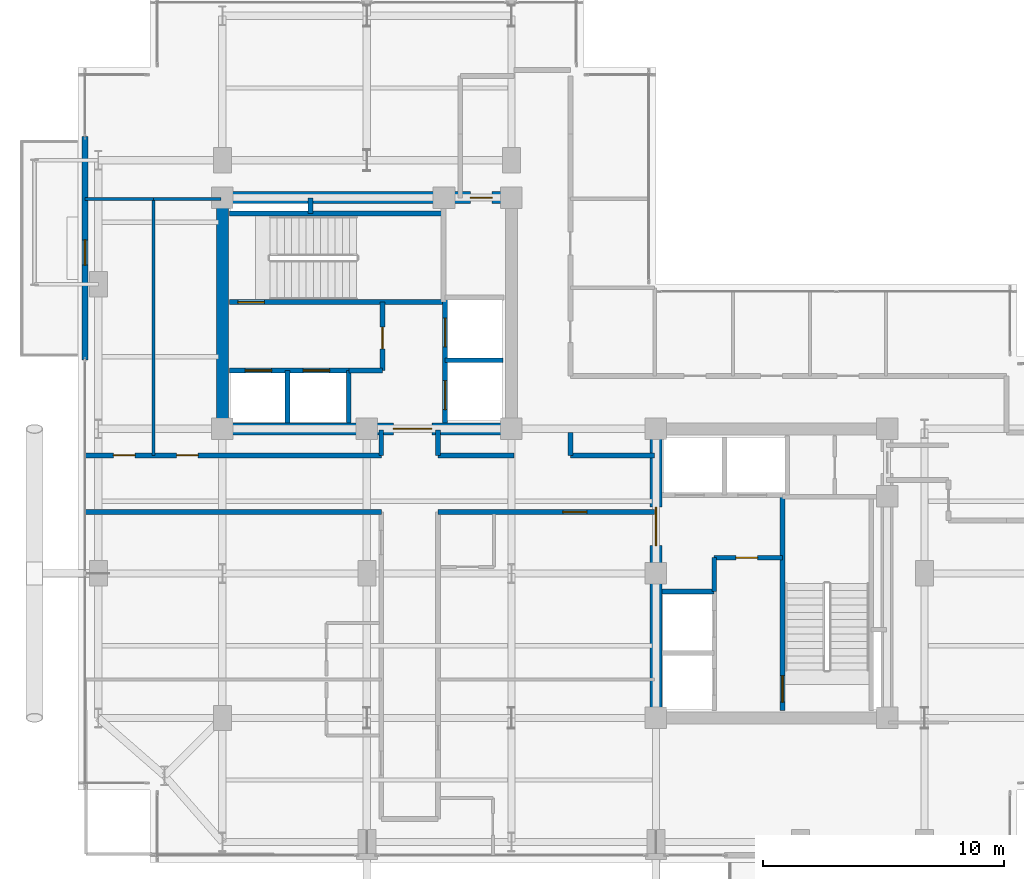
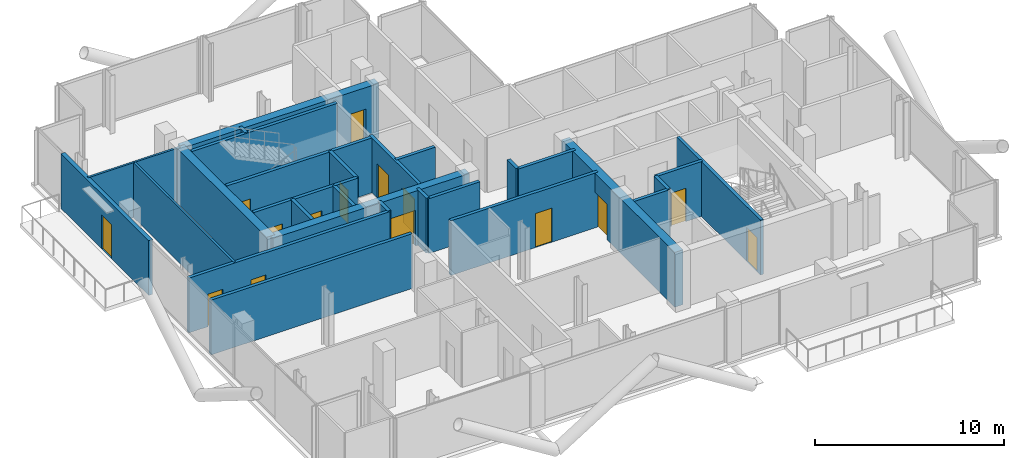
# One storey, part 20 of 25: 30 walls, 15 doors, 15 openings.
"""IFC4 building model written with IfcOpenShell, lengths in metres."""

from ifc_helpers import new_model, si_unit, direction, frame, frame_2d, origin, place, context, subcontext, project, spatial, rectangle, extrude, material, layer, layer_set, type_object, element, fill, save


model = new_model("IFC4")

# Units and contexts
model_context = context("Model", 3, precision=1e-05, world=origin(), true_north=direction((0.0, 1.0)))
body_context = subcontext(model_context, "Body", "Model", "MODEL_VIEW")
ifc_project = project(units=[si_unit("LENGTHUNIT", "METRE"), si_unit("AREAUNIT", "SQUARE_METRE"), si_unit("VOLUMEUNIT", "CUBIC_METRE"), si_unit("PLANEANGLEUNIT", "RADIAN"), si_unit("MASSUNIT", "GRAM", prefix="KILO"), si_unit("THERMODYNAMICTEMPERATUREUNIT", "KELVIN"), si_unit("POWERUNIT", "WATT")], contexts=[model_context])

# Site, building, storey
site_placement = place(None, origin())
site = spatial("IfcSite", under=ifc_project, at=site_placement, CompositionType="ELEMENT")
building_placement = place(site_placement, origin())
building = spatial("IfcBuilding", under=site, at=building_placement, Name="Svarakhadi Broadcast Tower", CompositionType="ELEMENT")
storey_placement = place(building_placement, frame((0.0, 0.0, 216.14990234375)))
storey = spatial("IfcBuildingStorey", under=building, at=storey_placement, Name="L53", CompositionType="ELEMENT", Elevation=216.14990234375)

# Wall
ifc_material_1 = material(Name="Double-Stud Acoustic Studio Partition STC-62", Category="gypsum")
ifc_layer_1 = layer(ifc_material_1, 0.199951171875)
ifc_layer_set_1 = layer_set([ifc_layer_1], Name="Double-Stud Acoustic Studio Partition STC-62")
wall_type_1 = type_object("IfcWallType", Name="Wall_Acoust_200", PredefinedType="PARTITIONING", material=ifc_layer_set_1)
wall_1_placement = place(storey_placement, frame((12.60009765625, 14.550048828125, 0.0), z_axis=(0.0, 0.0, 1.0), x_axis=(-1.0, 0.0, 0.0)))
element("IfcWall", 1, at=wall_1_placement, inside=storey, type_object=wall_type_1, Name="L53 Upper Tower Concourse Wall", PredefinedType="PARTITIONING", context=body_context, shape_type="SweptSolid", body=[
    extrude(rectangle(XDim=12.300048828125, YDim=0.199951171875, at=frame_2d((6.14990234375, 0.0))), origin(), (0.0, 0.0, 1.0), 3.5400390625),
])

# Wall, openings, doors
wall_2_placement = place(storey_placement, frame((0.300048828125, 16.89990234375, 0.0), z_axis=(0.0, 0.0, 1.0), x_axis=(1.0, 0.0, 0.0)))
wall_2 = element("IfcWall", 2, at=wall_2_placement, inside=storey, type_object=wall_type_1, Name="L53 Upper Tower Concourse Wall", PredefinedType="PARTITIONING", context=body_context, shape_type="SweptSolid", body=[
    extrude(rectangle(XDim=12.300048828125, YDim=0.199951171875, at=frame_2d((6.14990234375, 0.0))), origin(), (0.0, 0.0, 1.0), 3.5400390625),
])
opening_1_placement = place(wall_2_placement, frame((1.179931640625, 0.0, 0.0)))
opening_1 = element("IfcOpeningElement", 3, at=opening_1_placement, cuts=wall_2, Name="Opening D-15", PredefinedType="OPENING", context=body_context, shape_type="SweptSolid", body=[
    extrude(rectangle(XDim=0.89990234375, YDim=2.10009765625, at=frame_2d((0.449951171875, 1.050048828125))), frame((0.0, 0.10986328125, 0.0), z_axis=(0.0, -1.0, 0.0), x_axis=(1.0, 0.0, 0.0)), (0.0, 0.0, 1.0), 0.219970703125),
])
opening_2_placement = place(wall_2_placement, frame((3.800048828125, 0.0, 0.0)))
opening_2 = element("IfcOpeningElement", 4, at=opening_2_placement, cuts=wall_2, Name="Opening D-14", PredefinedType="OPENING", context=body_context, shape_type="SweptSolid", body=[
    extrude(rectangle(XDim=0.89990234375, YDim=2.10009765625, at=frame_2d((0.449951171875, 1.050048828125))), frame((0.0, 0.10986328125, 0.0), z_axis=(0.0, -1.0, 0.0), x_axis=(1.0, 0.0, 0.0)), (0.0, 0.0, 1.0), 0.219970703125),
])
ifc_material_2 = material(Name="Solid-Core Teak Veneer Acoustic Timber Leaf", Category="wood")
door_type_1 = type_object("IfcDoorType", Name="Door_Int_D14", OperationType="SINGLE_SWING_LEFT", PredefinedType="DOOR", material=ifc_material_2)
door_1_placement = place(opening_2_placement, origin())
door_1 = element("IfcDoor", 5, at=door_1_placement, inside=storey, type_object=door_type_1, Name="L53 Private Study and Library Office Door", OperationType="SINGLE_SWING_LEFT", OverallHeight=2.10009765625, OverallWidth=0.89990234375, PredefinedType="DOOR", context=body_context, shape_type="SweptSolid", body=[
    extrude(rectangle(XDim=0.89990234375, YDim=2.10009765625, at=frame_2d((0.449951171875, 1.050048828125))), frame((0.0, 0.02490234375, 0.0), z_axis=(0.0, -1.0, 0.0), x_axis=(1.0, 0.0, 0.0)), (0.0, 0.0, 1.0), 0.050048828125),
])
fill(opening_2, door_1)
door_type_2 = type_object("IfcDoorType", Name="Door_Int_D15", OperationType="SINGLE_SWING_RIGHT", PredefinedType="DOOR", material=ifc_material_2)
door_2_placement = place(opening_1_placement, origin())
door_2 = element("IfcDoor", 6, at=door_2_placement, inside=storey, type_object=door_type_2, Name="L53 Arabian Sea Panorama Salon Door", OperationType="SINGLE_SWING_RIGHT", OverallHeight=2.10009765625, OverallWidth=0.89990234375, PredefinedType="DOOR", context=body_context, shape_type="SweptSolid", body=[
    extrude(rectangle(XDim=0.89990234375, YDim=2.10009765625, at=frame_2d((0.449951171875, 1.050048828125))), frame((0.0, 0.02490234375, 0.0), z_axis=(0.0, -1.0, 0.0), x_axis=(1.0, 0.0, 0.0)), (0.0, 0.0, 1.0), 0.050048828125),
])
fill(opening_1, door_2)

# Walls
for number, where, z_axis, x_axis, name in (
    (7, (12.60009765625, 16.89990234375, 0.0), (0.0, 0.0, 1.0), (0.0, 1.0, 0.0), "L53 Upper Tower Concourse Wall"),
    (8, (14.949951171875, 17.949951171875, 0.0), (0.0, 0.0, 1.0), (0.0, -1.0, 0.0), "L53 Upper Tower Concourse Wall"),
):
    element("IfcWall", number, at=place(storey_placement, frame(where, z_axis=z_axis, x_axis=x_axis)), inside=storey, type_object=wall_type_1, Name=name, PredefinedType="PARTITIONING", context=body_context, shape_type="SweptSolid", body=[
        extrude(rectangle(XDim=1.050048828125, YDim=0.199951171875, at=frame_2d((0.52490234375, 0.0))), origin(), (0.0, 0.0, 1.0), 3.5400390625),
    ])
wall_3_placement = place(storey_placement, frame((14.949951171875, 16.89990234375, 0.0), z_axis=(0.0, 0.0, 1.0), x_axis=(1.0, 0.0, 0.0)))
element("IfcWall", 9, at=wall_3_placement, inside=storey, type_object=wall_type_1, Name="L53 Upper Tower Concourse Wall", PredefinedType="PARTITIONING", context=body_context, shape_type="SweptSolid", body=[
    extrude(rectangle(XDim=3.150146484375, YDim=0.199951171875, at=frame_2d((1.5751953125, 0.0))), origin(), (0.0, 0.0, 1.0), 3.5400390625),
])
wall_4_placement = place(storey_placement, frame((20.449951171875, 17.85009765625, 0.0), z_axis=(0.0, 0.0, 1.0), x_axis=(0.0, -1.0, 0.0)))
element("IfcWall", 10, at=wall_4_placement, inside=storey, type_object=wall_type_1, Name="L53 Upper Tower Concourse Wall", PredefinedType="PARTITIONING", context=body_context, shape_type="SweptSolid", body=[
    extrude(rectangle(XDim=0.9501953125, YDim=0.199951171875, at=frame_2d((0.47509765625, 0.0))), origin(), (0.0, 0.0, 1.0), 3.5400390625),
])
wall_5_placement = place(storey_placement, frame((20.449951171875, 16.89990234375, 0.0), z_axis=(0.0, 0.0, 1.0), x_axis=(1.0, 0.0, 0.0)))
element("IfcWall", 11, at=wall_5_placement, inside=storey, type_object=wall_type_1, Name="L53 Upper Tower Concourse Wall", PredefinedType="PARTITIONING", context=body_context, shape_type="SweptSolid", body=[
    extrude(rectangle(XDim=3.5, YDim=0.199951171875, at=frame_2d((1.75, 0.0))), origin(), (0.0, 0.0, 1.0), 3.5400390625),
])

# Wall, opening, door
wall_6_placement = place(storey_placement, frame((23.949951171875, 14.550048828125, 0.0), z_axis=(0.0, 0.0, 1.0), x_axis=(-1.0, 0.0, 0.0)))
wall_6 = element("IfcWall", 12, at=wall_6_placement, inside=storey, type_object=wall_type_1, Name="L53 Upper Tower Concourse Wall", PredefinedType="PARTITIONING", context=body_context, shape_type="SweptSolid", body=[
    extrude(rectangle(XDim=9.0, YDim=0.199951171875, at=frame_2d((4.5, 0.0))), origin(), (0.0, 0.0, 1.0), 3.5400390625),
])
opening_3_placement = place(wall_6_placement, frame((2.81494140625, 0.0, 0.0)))
opening_3 = element("IfcOpeningElement", 13, at=opening_3_placement, cuts=wall_6, Name="Opening D-09", PredefinedType="OPENING", context=body_context, shape_type="SweptSolid", body=[
    extrude(rectangle(XDim=1.0, YDim=2.199951171875, at=frame_2d((0.5, 1.10009765625))), frame((0.0, 0.10986328125, 0.0), z_axis=(0.0, -1.0, 0.0), x_axis=(1.0, 0.0, 0.0)), (0.0, 0.0, 1.0), 0.219970703125),
])
door_type_3 = type_object("IfcDoorType", Name="Door_Suite_D09", OperationType="SINGLE_SWING_RIGHT", PredefinedType="DOOR", material=ifc_material_2)
door_3_placement = place(opening_3_placement, origin())
door_3 = element("IfcDoor", 14, at=door_3_placement, inside=storey, type_object=door_type_3, Name="L53 Deluxe Harbour Guest Room Entrance Door", OperationType="SINGLE_SWING_RIGHT", OverallHeight=2.199951171875, OverallWidth=1.0, PredefinedType="DOOR", context=body_context, shape_type="SweptSolid", body=[
    extrude(rectangle(XDim=1.0, YDim=2.199951171875, at=frame_2d((0.5, 1.10009765625))), frame((0.0, 0.02490234375, 0.0), z_axis=(0.0, -1.0, 0.0), x_axis=(1.0, 0.0, 0.0)), (0.0, 0.0, 1.0), 0.050048828125),
])
fill(opening_3, door_3)

ifc_material_3 = material(Name="Concrete C40/50 (IS 456 M50)", Category="concrete")
ifc_layer_2 = layer(ifc_material_3, 0.239990234375)
ifc_layer_set_2 = layer_set([ifc_layer_2], Name="Concrete C40/50 (IS 456 M50)")
wall_type_2 = type_object("IfcWallType", Name="Wall_Ext_240", PredefinedType="SOLIDWALL", material=ifc_layer_set_2)
wall_7_placement = place(storey_placement, frame((0.300048828125, 20.85498046875, 0.0), z_axis=(0.0, 0.0, 1.0), x_axis=(0.0, 1.0, 0.0)))
wall_7 = element("IfcWall", 15, at=wall_7_placement, inside=storey, type_object=wall_type_2, Name="L53 West Tree Balcony Spandrel Wall", PredefinedType="SOLIDWALL", context=body_context, shape_type="SweptSolid", body=[
    extrude(rectangle(XDim=9.2900390625, YDim=0.239990234375, at=frame_2d((4.64501953125, 0.0))), origin(), (0.0, 0.0, 1.0), 3.5400390625),
])
opening_4_placement = place(wall_7_placement, frame((3.945068359375, 0.0, 0.0)))
opening_4 = element("IfcOpeningElement", 16, at=opening_4_placement, cuts=wall_7, Name="Opening ED-06", PredefinedType="OPENING", context=body_context, shape_type="SweptSolid", body=[
    extrude(rectangle(XDim=1.050048828125, YDim=2.199951171875, at=frame_2d((0.52490234375, 1.10009765625))), frame((0.0, 0.1298828125, 0.0), z_axis=(0.0, -1.0, 0.0), x_axis=(1.0, 0.0, 0.0)), (0.0, 0.0, 1.0), 0.260009765625),
])
ifc_material_4 = material(Name="Anodised Bronze Aluminium AA 6063-T6", Category="aluminium")
door_type_4 = type_object("IfcDoorType", Name="Door_Ext_ED06", OperationType="SINGLE_SWING_RIGHT", PredefinedType="DOOR", material=ifc_material_4)
door_4_placement = place(opening_4_placement, origin())
door_4 = element("IfcDoor", 17, at=door_4_placement, inside=storey, type_object=door_type_4, Name="L53 West Tree Balcony Door", OperationType="SINGLE_SWING_RIGHT", OverallHeight=2.199951171875, OverallWidth=1.050048828125, PredefinedType="DOOR", context=body_context, shape_type="SweptSolid", body=[
    extrude(rectangle(XDim=1.050048828125, YDim=2.199951171875, at=frame_2d((0.52490234375, 1.10009765625))), frame((0.0, 0.02490234375, 0.0), z_axis=(0.0, -1.0, 0.0), x_axis=(1.0, 0.0, 0.0)), (0.0, 0.0, 1.0), 0.050048828125),
])
fill(opening_4, door_4)

# Walls
ifc_layer_3 = layer(ifc_material_3, 0.199951171875)
ifc_layer_set_3 = layer_set([ifc_layer_3], Name="Concrete C40/50 (IS 456 M50)")
wall_type_3 = type_object("IfcWallType", Name="Wall_Fire_200", PredefinedType="SOLIDWALL", material=ifc_layer_set_3)
wall_8_placement = place(storey_placement, frame((9.659912109375, 26.93994140625, 0.0), z_axis=(0.0, 0.0, 1.0), x_axis=(0.0, 1.0, 0.0)))
element("IfcWall", 18, at=wall_8_placement, inside=storey, type_object=wall_type_3, Name="L53 Wet Riser Shaft East Wall", PredefinedType="SOLIDWALL", context=body_context, shape_type="SweptSolid", body=[
    extrude(rectangle(XDim=0.64013671875, YDim=0.199951171875, at=frame_2d((0.320068359375, 0.0))), origin(), (0.0, 0.0, 1.0), 3.5400390625),
])
ifc_material_5 = material(Name="Fire-Rated Moisture-Resistant Gypsum Board Partition", Category="gypsum")
ifc_layer_4 = layer(ifc_material_5, 0.125)
ifc_layer_set_4 = layer_set([ifc_layer_4], Name="Fire-Rated Moisture-Resistant Gypsum Board Partition")
wall_type_4 = type_object("IfcWallType", Name="Wall_Part_125", PredefinedType="PARTITIONING", material=ifc_layer_set_4)
wall_9_placement = place(storey_placement, frame((0.300048828125, 27.550048828125, 0.0), z_axis=(0.0, 0.0, 1.0), x_axis=(1.0, 0.0, 0.0)))
element("IfcWall", 19, at=wall_9_placement, inside=storey, type_object=wall_type_4, Name="L53 Arabian Sea Panorama Salon Wall", PredefinedType="PARTITIONING", context=body_context, shape_type="SweptSolid", body=[
    extrude(rectangle(XDim=2.849853515625, YDim=0.125, at=frame_2d((1.4248046875, 0.0))), origin(), (0.0, 0.0, 1.0), 3.5400390625),
])
wall_10_placement = place(storey_placement, frame((3.14990234375, 16.89990234375, 0.0), z_axis=(0.0, 0.0, 1.0), x_axis=(0.0, 1.0, 0.0)))
element("IfcWall", 20, at=wall_10_placement, inside=storey, type_object=wall_type_4, Name="L53 Arabian Sea Panorama Salon Wall", PredefinedType="PARTITIONING", context=body_context, shape_type="SweptSolid", body=[
    extrude(rectangle(XDim=10.650146484375, YDim=0.125, at=frame_2d((5.3251953125, 0.0))), origin(), (0.0, 0.0, 1.0), 3.5400390625),
])
wall_11_placement = place(storey_placement, frame((3.14990234375, 27.550048828125, 0.0), z_axis=(0.0, 0.0, 1.0), x_axis=(1.0, 0.0, 0.0)))
element("IfcWall", 21, at=wall_11_placement, inside=storey, type_object=wall_type_4, Name="L53 Private Study and Library Office Wall", PredefinedType="PARTITIONING", context=body_context, shape_type="SweptSolid", body=[
    extrude(rectangle(XDim=2.800048828125, YDim=0.125, at=frame_2d((1.39990234375, 0.0))), origin(), (0.0, 0.0, 1.0), 3.5400390625),
])

# Wall, opening, door
ifc_material_6 = material(Name="Concrete C50/60 (IS 456 M60)", Category="concrete")
ifc_layer_5 = layer(ifc_material_6, 0.199951171875)
ifc_layer_set_5 = layer_set([ifc_layer_5], Name="Concrete C50/60 (IS 456 M60)")
wall_type_5 = type_object("IfcWallType", Name="Wall_Shear_200", PredefinedType="SHEAR", material=ifc_layer_set_5)
wall_12_placement = place(storey_placement, frame((6.300048828125, 23.260009765625, 0.0), z_axis=(0.0, 0.0, 1.0), x_axis=(1.0, 0.0, 0.0)))
wall_12 = element("IfcWall", 22, at=wall_12_placement, inside=storey, type_object=wall_type_5, Name="L53 Stair ST-01 South RC Shaft Wall", PredefinedType="SHEAR", context=body_context, shape_type="SweptSolid", body=[
    extrude(rectangle(XDim=8.8798828125, YDim=0.199951171875, at=frame_2d((4.43994140625, 0.0))), origin(), (0.0, 0.0, 1.0), 3.5400390625),
])
opening_5_placement = place(wall_12_placement, frame((0.35009765625, 0.0, 0.0)))
opening_5 = element("IfcOpeningElement", 23, at=opening_5_placement, cuts=wall_12, Name="Opening D-01", PredefinedType="OPENING", context=body_context, shape_type="SweptSolid", body=[
    extrude(rectangle(XDim=1.10009765625, YDim=2.199951171875, at=frame_2d((0.550048828125, 1.10009765625))), frame((0.0, 0.10986328125, 0.0), z_axis=(0.0, -1.0, 0.0), x_axis=(1.0, 0.0, 0.0)), (0.0, 0.0, 1.0), 0.219970703125),
])
ifc_material_7 = material(Name="Galvanised Powder-Coated Fire-Rated Steel Leaf", Category="steel")
door_type_5 = type_object("IfcDoorType", Name="Door_Stair_D01", OperationType="SINGLE_SWING_LEFT", PredefinedType="DOOR", material=ifc_material_7)
door_5_placement = place(opening_5_placement, origin())
door_5 = element("IfcDoor", 24, at=door_5_placement, inside=storey, type_object=door_type_5, Name="L53 Protected Exit Stair ST-01 Fire Door", OperationType="SINGLE_SWING_LEFT", OverallHeight=2.199951171875, OverallWidth=1.10009765625, PredefinedType="DOOR", context=body_context, shape_type="SweptSolid", body=[
    extrude(rectangle(XDim=1.10009765625, YDim=2.199951171875, at=frame_2d((0.550048828125, 1.10009765625))), frame((0.0, 0.02490234375, 0.0), z_axis=(0.0, -1.0, 0.0), x_axis=(1.0, 0.0, 0.0)), (0.0, 0.0, 1.0), 0.050048828125),
])
fill(opening_5, door_5)

# Wall
wall_13_placement = place(storey_placement, frame((6.300048828125, 26.93994140625, 0.0), z_axis=(0.0, 0.0, 1.0), x_axis=(1.0, 0.0, 0.0)))
element("IfcWall", 25, at=wall_13_placement, inside=storey, type_object=wall_type_5, Name="L53 Stair ST-01 North RC Shaft Wall", PredefinedType="SHEAR", context=body_context, shape_type="SweptSolid", body=[
    extrude(rectangle(XDim=8.8798828125, YDim=0.199951171875, at=frame_2d((4.43994140625, 0.0))), origin(), (0.0, 0.0, 1.0), 3.5400390625),
])

# Wall, opening, door
wall_14_placement = place(storey_placement, frame((29.260009765625, 6.300048828125, 0.0), z_axis=(0.0, 0.0, 1.0), x_axis=(0.0, 1.0, 0.0)))
wall_14 = element("IfcWall", 26, at=wall_14_placement, inside=storey, type_object=wall_type_5, Name="L53 Stair ST-02 West RC Shaft Wall", PredefinedType="SHEAR", context=body_context, shape_type="SweptSolid", body=[
    extrude(rectangle(XDim=8.8798828125, YDim=0.199951171875, at=frame_2d((4.43994140625, 0.0))), origin(), (0.0, 0.0, 1.0), 3.5400390625),
])
opening_6_placement = place(wall_14_placement, frame((0.35009765625, 0.0, 0.0)))
opening_6 = element("IfcOpeningElement", 27, at=opening_6_placement, cuts=wall_14, Name="Opening D-02", PredefinedType="OPENING", context=body_context, shape_type="SweptSolid", body=[
    extrude(rectangle(XDim=1.10009765625, YDim=2.199951171875, at=frame_2d((0.550048828125, 1.10009765625))), frame((0.0, 0.10986328125, 0.0), z_axis=(0.0, -1.0, 0.0), x_axis=(1.0, 0.0, 0.0)), (0.0, 0.0, 1.0), 0.219970703125),
])
door_type_6 = type_object("IfcDoorType", Name="Door_Stair_D02", OperationType="SINGLE_SWING_RIGHT", PredefinedType="DOOR", material=ifc_material_7)
door_6_placement = place(opening_6_placement, origin())
door_6 = element("IfcDoor", 28, at=door_6_placement, inside=storey, type_object=door_type_6, Name="L53 Protected Exit Stair ST-02 Fire Door", OperationType="SINGLE_SWING_RIGHT", OverallHeight=2.199951171875, OverallWidth=1.10009765625, PredefinedType="DOOR", context=body_context, shape_type="SweptSolid", body=[
    extrude(rectangle(XDim=1.10009765625, YDim=2.199951171875, at=frame_2d((0.550048828125, 1.10009765625))), frame((0.0, 0.02490234375, 0.0), z_axis=(0.0, -1.0, 0.0), x_axis=(1.0, 0.0, 0.0)), (0.0, 0.0, 1.0), 0.050048828125),
])
fill(opening_6, door_6)

# Wall, openings, doors
wall_15_placement = place(storey_placement, frame((6.300048828125, 20.419921875, 0.0), z_axis=(0.0, 0.0, 1.0), x_axis=(1.0, 0.0, 0.0)))
wall_15 = element("IfcWall", 29, at=wall_15_placement, inside=storey, type_object=wall_type_5, Name="L53 Firefighting Lift LF-01/02 Shaft Wall", PredefinedType="SHEAR", context=body_context, shape_type="SweptSolid", body=[
    extrude(rectangle(XDim=4.949951171875, YDim=0.199951171875, at=frame_2d((2.47509765625, 0.0))), origin(), (0.0, 0.0, 1.0), 3.5400390625),
])
opening_7_placement = place(wall_15_placement, frame((0.64990234375, 0.0, 0.0)))
opening_7 = element("IfcOpeningElement", 30, at=opening_7_placement, cuts=wall_15, Name="Opening LD-01", PredefinedType="OPENING", context=body_context, shape_type="SweptSolid", body=[
    extrude(rectangle(XDim=1.10009765625, YDim=2.199951171875, at=frame_2d((0.550048828125, 1.10009765625))), frame((0.0, 0.10986328125, 0.0), z_axis=(0.0, -1.0, 0.0), x_axis=(1.0, 0.0, 0.0)), (0.0, 0.0, 1.0), 0.219970703125),
])
opening_8_placement = place(wall_15_placement, frame((3.050048828125, 0.0, 0.0)))
opening_8 = element("IfcOpeningElement", 31, at=opening_8_placement, cuts=wall_15, Name="Opening LD-01", PredefinedType="OPENING", context=body_context, shape_type="SweptSolid", body=[
    extrude(rectangle(XDim=1.10009765625, YDim=2.199951171875, at=frame_2d((0.550048828125, 1.10009765625))), frame((0.0, 0.10986328125, 0.0), z_axis=(0.0, -1.0, 0.0), x_axis=(1.0, 0.0, 0.0)), (0.0, 0.0, 1.0), 0.219970703125),
])
door_type_7 = type_object("IfcDoorType", Name="Door_Lift_LD01", OperationType="SLIDING_TO_LEFT", PredefinedType="DOOR", material=ifc_material_7)
door_7_placement = place(opening_7_placement, origin())
door_7 = element("IfcDoor", 32, at=door_7_placement, inside=storey, type_object=door_type_7, Name="L53 Firefighting Lift LF-01 Landing Door", OperationType="SLIDING_TO_LEFT", OverallHeight=2.199951171875, OverallWidth=1.10009765625, PredefinedType="DOOR", context=body_context, shape_type="SweptSolid", body=[
    extrude(rectangle(XDim=1.10009765625, YDim=2.199951171875, at=frame_2d((0.550048828125, 1.10009765625))), frame((0.0, 0.02490234375, 0.0), z_axis=(0.0, -1.0, 0.0), x_axis=(1.0, 0.0, 0.0)), (0.0, 0.0, 1.0), 0.050048828125),
])
fill(opening_7, door_7)
door_8_placement = place(opening_8_placement, origin())
door_8 = element("IfcDoor", 33, at=door_8_placement, inside=storey, type_object=door_type_7, Name="L53 Firefighting Lift LF-02 Landing Door", OperationType="SLIDING_TO_LEFT", OverallHeight=2.199951171875, OverallWidth=1.10009765625, PredefinedType="DOOR", context=body_context, shape_type="SweptSolid", body=[
    extrude(rectangle(XDim=1.10009765625, YDim=2.199951171875, at=frame_2d((0.550048828125, 1.10009765625))), frame((0.0, 0.02490234375, 0.0), z_axis=(0.0, -1.0, 0.0), x_axis=(1.0, 0.0, 0.0)), (0.0, 0.0, 1.0), 0.050048828125),
])
fill(opening_8, door_8)

# Walls
for number, where, z_axis, x_axis, name in (
    (34, (8.699951171875, 18.25, 0.0), (0.0, 0.0, 1.0), (0.0, 1.0, 0.0), "L53 Firefighting Lift LF-01/02 Divider Wall"),
    (35, (11.25, 18.25, 0.0), (0.0, 0.0, 1.0), (0.0, 1.0, 0.0), "L53 Firefighting Lift LF-02 East Wall"),
):
    element("IfcWall", number, at=place(storey_placement, frame(where, z_axis=z_axis, x_axis=x_axis)), inside=storey, type_object=wall_type_5, Name=name, PredefinedType="SHEAR", context=body_context, shape_type="SweptSolid", body=[
        extrude(rectangle(XDim=2.169921875, YDim=0.199951171875, at=frame_2d((1.0849609375, 0.0))), origin(), (0.0, 0.0, 1.0), 3.5400390625),
    ])
wall_16_placement = place(storey_placement, frame((11.25, 20.419921875, 0.0), z_axis=(0.0, 0.0, 1.0), x_axis=(1.0, 0.0, 0.0)))
element("IfcWall", 36, at=wall_16_placement, inside=storey, type_object=wall_type_5, Name="L53 West Firefighting Lobby South Wall", PredefinedType="SHEAR", context=body_context, shape_type="SweptSolid", body=[
    extrude(rectangle(XDim=1.39990234375, YDim=0.199951171875, at=frame_2d((0.699951171875, 0.0))), origin(), (0.0, 0.0, 1.0), 3.5400390625),
])

# Wall, opening, door
wall_17_placement = place(storey_placement, frame((12.64990234375, 20.419921875, 0.0), z_axis=(0.0, 0.0, 1.0), x_axis=(0.0, 1.0, 0.0)))
wall_17 = element("IfcWall", 37, at=wall_17_placement, inside=storey, type_object=wall_type_5, Name="L53 West Firefighting Lobby East Wall", PredefinedType="SHEAR", context=body_context, shape_type="SweptSolid", body=[
    extrude(rectangle(XDim=2.840087890625, YDim=0.199951171875, at=frame_2d((1.419921875, 0.0))), origin(), (0.0, 0.0, 1.0), 3.5400390625),
])
opening_9_placement = place(wall_17_placement, frame((0.89990234375, 0.0, 0.0)))
opening_9 = element("IfcOpeningElement", 38, at=opening_9_placement, cuts=wall_17, Name="Opening D-03", PredefinedType="OPENING", context=body_context, shape_type="SweptSolid", body=[
    extrude(rectangle(XDim=0.89990234375, YDim=2.14990234375, at=frame_2d((0.449951171875, 1.074951171875))), frame((0.0, 0.10986328125, 0.0), z_axis=(0.0, -1.0, 0.0), x_axis=(1.0, 0.0, 0.0)), (0.0, 0.0, 1.0), 0.219970703125),
])
door_type_8 = type_object("IfcDoorType", Name="Door_Fire_D03", OperationType="SINGLE_SWING_LEFT", PredefinedType="DOOR", material=ifc_material_7)
door_9_placement = place(opening_9_placement, origin())
door_9 = element("IfcDoor", 39, at=door_9_placement, inside=storey, type_object=door_type_8, Name="L53 West Firefighting Lobby Fire Door", OperationType="SINGLE_SWING_LEFT", OverallHeight=2.14990234375, OverallWidth=0.89990234375, PredefinedType="DOOR", context=body_context, shape_type="SweptSolid", body=[
    extrude(rectangle(XDim=0.89990234375, YDim=2.14990234375, at=frame_2d((0.449951171875, 1.074951171875))), frame((0.0, 0.02490234375, 0.0), z_axis=(0.0, -1.0, 0.0), x_axis=(1.0, 0.0, 0.0)), (0.0, 0.0, 1.0), 0.050048828125),
])
fill(opening_9, door_9)

# Walls
wall_18_placement = place(storey_placement, frame((24.25, 11.25, 0.0), z_axis=(0.0, 0.0, 1.0), x_axis=(1.0, 0.0, 0.0)))
element("IfcWall", 40, at=wall_18_placement, inside=storey, type_object=wall_type_5, Name="L53 Firefighting Lift LF-04 North Wall", PredefinedType="SHEAR", context=body_context, shape_type="SweptSolid", body=[
    extrude(rectangle(XDim=2.169921875, YDim=0.199951171875, at=frame_2d((1.0849609375, 0.0))), origin(), (0.0, 0.0, 1.0), 3.5400390625),
])
wall_19_placement = place(storey_placement, frame((26.419921875, 11.25, 0.0), z_axis=(0.0, 0.0, 1.0), x_axis=(0.0, 1.0, 0.0)))
element("IfcWall", 41, at=wall_19_placement, inside=storey, type_object=wall_type_5, Name="L53 East Firefighting Lobby West Wall", PredefinedType="SHEAR", context=body_context, shape_type="SweptSolid", body=[
    extrude(rectangle(XDim=1.39990234375, YDim=0.199951171875, at=frame_2d((0.699951171875, 0.0))), origin(), (0.0, 0.0, 1.0), 3.5400390625),
])

# Wall, opening, door
wall_20_placement = place(storey_placement, frame((26.419921875, 12.64990234375, 0.0), z_axis=(0.0, 0.0, 1.0), x_axis=(1.0, 0.0, 0.0)))
wall_20 = element("IfcWall", 42, at=wall_20_placement, inside=storey, type_object=wall_type_5, Name="L53 East Firefighting Lobby North Wall", PredefinedType="SHEAR", context=body_context, shape_type="SweptSolid", body=[
    extrude(rectangle(XDim=2.840087890625, YDim=0.199951171875, at=frame_2d((1.419921875, 0.0))), origin(), (0.0, 0.0, 1.0), 3.5400390625),
])
opening_10_placement = place(wall_20_placement, frame((0.89990234375, 0.0, 0.0)))
opening_10 = element("IfcOpeningElement", 43, at=opening_10_placement, cuts=wall_20, Name="Opening D-04", PredefinedType="OPENING", context=body_context, shape_type="SweptSolid", body=[
    extrude(rectangle(XDim=0.89990234375, YDim=2.14990234375, at=frame_2d((0.449951171875, 1.074951171875))), frame((0.0, 0.10986328125, 0.0), z_axis=(0.0, -1.0, 0.0), x_axis=(1.0, 0.0, 0.0)), (0.0, 0.0, 1.0), 0.219970703125),
])
door_type_9 = type_object("IfcDoorType", Name="Door_Fire_D04", OperationType="SINGLE_SWING_RIGHT", PredefinedType="DOOR", material=ifc_material_7)
door_10_placement = place(opening_10_placement, origin())
door_10 = element("IfcDoor", 44, at=door_10_placement, inside=storey, type_object=door_type_9, Name="L53 East Firefighting Lobby Fire Door", OperationType="SINGLE_SWING_RIGHT", OverallHeight=2.14990234375, OverallWidth=0.89990234375, PredefinedType="DOOR", context=body_context, shape_type="SweptSolid", body=[
    extrude(rectangle(XDim=0.89990234375, YDim=2.14990234375, at=frame_2d((0.449951171875, 1.074951171875))), frame((0.0, 0.02490234375, 0.0), z_axis=(0.0, -1.0, 0.0), x_axis=(1.0, 0.0, 0.0)), (0.0, 0.0, 1.0), 0.050048828125),
])
fill(opening_10, door_10)

# Wall, openings, doors
wall_21_placement = place(storey_placement, frame((15.25, 18.25, 0.0), z_axis=(0.0, 0.0, 1.0), x_axis=(0.0, 1.0, 0.0)))
wall_21 = element("IfcWall", 45, at=wall_21_placement, inside=storey, type_object=wall_type_5, Name="L53 High-Rise Lift LF-13/14 West Shaft Wall", PredefinedType="SHEAR", context=body_context, shape_type="SweptSolid", body=[
    extrude(rectangle(XDim=5.199951171875, YDim=0.199951171875, at=frame_2d((2.60009765625, 0.0))), origin(), (0.0, 0.0, 1.0), 3.5400390625),
])
opening_11_placement = place(wall_21_placement, frame((0.550048828125, 0.0, 0.0)))
opening_11 = element("IfcOpeningElement", 46, at=opening_11_placement, cuts=wall_21, Name="Opening LD-02", PredefinedType="OPENING", context=body_context, shape_type="SweptSolid", body=[
    extrude(rectangle(XDim=1.199951171875, YDim=2.199951171875, at=frame_2d((0.60009765625, 1.10009765625))), frame((0.0, 0.10986328125, 0.0), z_axis=(0.0, -1.0, 0.0), x_axis=(1.0, 0.0, 0.0)), (0.0, 0.0, 1.0), 0.219970703125),
])
opening_12_placement = place(wall_21_placement, frame((3.14990234375, 0.0, 0.0)))
opening_12 = element("IfcOpeningElement", 47, at=opening_12_placement, cuts=wall_21, Name="Opening LD-02", PredefinedType="OPENING", context=body_context, shape_type="SweptSolid", body=[
    extrude(rectangle(XDim=1.199951171875, YDim=2.199951171875, at=frame_2d((0.60009765625, 1.10009765625))), frame((0.0, 0.10986328125, 0.0), z_axis=(0.0, -1.0, 0.0), x_axis=(1.0, 0.0, 0.0)), (0.0, 0.0, 1.0), 0.219970703125),
])
door_type_10 = type_object("IfcDoorType", Name="Door_Lift_LD02", OperationType="SLIDING_TO_RIGHT", PredefinedType="DOOR", material=ifc_material_7)
door_11_placement = place(opening_11_placement, origin())
door_11 = element("IfcDoor", 48, at=door_11_placement, inside=storey, type_object=door_type_10, Name="L53 High-Rise Lift LF-13 Landing Door", OperationType="SLIDING_TO_RIGHT", OverallHeight=2.199951171875, OverallWidth=1.199951171875, PredefinedType="DOOR", context=body_context, shape_type="SweptSolid", body=[
    extrude(rectangle(XDim=1.199951171875, YDim=2.199951171875, at=frame_2d((0.60009765625, 1.10009765625))), frame((0.0, 0.02490234375, 0.0), z_axis=(0.0, -1.0, 0.0), x_axis=(1.0, 0.0, 0.0)), (0.0, 0.0, 1.0), 0.050048828125),
])
fill(opening_11, door_11)
door_12_placement = place(opening_12_placement, origin())
door_12 = element("IfcDoor", 49, at=door_12_placement, inside=storey, type_object=door_type_10, Name="L53 High-Rise Lift LF-14 Landing Door", OperationType="SLIDING_TO_RIGHT", OverallHeight=2.199951171875, OverallWidth=1.199951171875, PredefinedType="DOOR", context=body_context, shape_type="SweptSolid", body=[
    extrude(rectangle(XDim=1.199951171875, YDim=2.199951171875, at=frame_2d((0.60009765625, 1.10009765625))), frame((0.0, 0.02490234375, 0.0), z_axis=(0.0, -1.0, 0.0), x_axis=(1.0, 0.0, 0.0)), (0.0, 0.0, 1.0), 0.050048828125),
])
fill(opening_12, door_12)

# Wall
wall_22_placement = place(storey_placement, frame((15.25, 20.85009765625, 0.0), z_axis=(0.0, 0.0, 1.0), x_axis=(1.0, 0.0, 0.0)))
element("IfcWall", 50, at=wall_22_placement, inside=storey, type_object=wall_type_5, Name="L53 High-Rise Lift LF-13/14 Divider", PredefinedType="SHEAR", context=body_context, shape_type="SweptSolid", body=[
    extrude(rectangle(XDim=2.39990234375, YDim=0.199951171875, at=frame_2d((1.199951171875, 0.0))), origin(), (0.0, 0.0, 1.0), 3.5400390625),
])

# Wall, opening, door
ifc_layer_6 = layer(ifc_material_6, 0.5)
ifc_layer_set_6 = layer_set([ifc_layer_6], Name="Concrete C50/60 (IS 456 M60)")
wall_type_6 = type_object("IfcWallType", Name="Wall_Shear_500", PredefinedType="SHEAR", material=ifc_layer_set_6)
wall_23_placement = place(storey_placement, frame((6.0, 18.0, 0.0), z_axis=(0.0, 0.0, 1.0), x_axis=(1.0, 0.0, 0.0)))
wall_23 = element("IfcWall", 51, at=wall_23_placement, inside=storey, type_object=wall_type_6, Name="L53 West Core South Shear Wall", PredefinedType="SHEAR", context=body_context, shape_type="SweptSolid", body=[
    extrude(rectangle(XDim=12.0, YDim=0.5, at=frame_2d((6.0, 0.0))), origin(), (0.0, 0.0, 1.0), 3.5400390625),
])
opening_13_placement = place(wall_23_placement, frame((7.10009765625, 0.0, 0.0)))
opening_13 = element("IfcOpeningElement", 52, at=opening_13_placement, cuts=wall_23, Name="Opening D-05", PredefinedType="OPENING", context=body_context, shape_type="SweptSolid", body=[
    extrude(rectangle(XDim=1.60009765625, YDim=2.300048828125, at=frame_2d((0.800048828125, 1.14990234375))), frame((0.0, 0.260009765625, 0.0), z_axis=(0.0, -1.0, 0.0), x_axis=(1.0, 0.0, 0.0)), (0.0, 0.0, 1.0), 0.52001953125),
])
door_type_11 = type_object("IfcDoorType", Name="Door_Lobby_D05", OperationType="DOUBLE_DOOR_SLIDING", PredefinedType="DOOR", material=ifc_material_4)
door_13_placement = place(opening_13_placement, origin())
door_13 = element("IfcDoor", 53, at=door_13_placement, inside=storey, type_object=door_type_11, Name="L53 West Core Passenger Lift Lobby Entrance Door", OperationType="DOUBLE_DOOR_SLIDING", OverallHeight=2.300048828125, OverallWidth=1.60009765625, PredefinedType="DOOR", context=body_context, shape_type="SweptSolid", body=[
    extrude(rectangle(XDim=1.60009765625, YDim=2.300048828125, at=frame_2d((0.800048828125, 1.14990234375))), frame((0.0, 0.02490234375, 0.0), z_axis=(0.0, -1.0, 0.0), x_axis=(1.0, 0.0, 0.0)), (0.0, 0.0, 1.0), 0.050048828125),
])
fill(opening_13, door_13)

wall_24_placement = place(storey_placement, frame((6.0, 27.60009765625, 0.0), z_axis=(0.0, 0.0, 1.0), x_axis=(1.0, 0.0, 0.0)))
wall_24 = element("IfcWall", 54, at=wall_24_placement, inside=storey, type_object=wall_type_6, Name="L53 West Core North Shear Wall", PredefinedType="SHEAR", context=body_context, shape_type="SweptSolid", body=[
    extrude(rectangle(XDim=12.0, YDim=0.5, at=frame_2d((6.0, 0.0))), origin(), (0.0, 0.0, 1.0), 3.5400390625),
])
opening_14_placement = place(wall_24_placement, frame((10.300048828125, 0.0, 0.0)))
opening_14 = element("IfcOpeningElement", 55, at=opening_14_placement, cuts=wall_24, Name="Opening D-03", PredefinedType="OPENING", context=body_context, shape_type="SweptSolid", body=[
    extrude(rectangle(XDim=0.89990234375, YDim=2.14990234375, at=frame_2d((0.449951171875, 1.074951171875))), frame((0.0, 0.260009765625, 0.0), z_axis=(0.0, -1.0, 0.0), x_axis=(1.0, 0.0, 0.0)), (0.0, 0.0, 1.0), 0.52001953125),
])
door_14_placement = place(opening_14_placement, origin())
door_14 = element("IfcDoor", 56, at=door_14_placement, inside=storey, type_object=door_type_8, Name="L53 Core Meter Cupboard Door", OperationType="SINGLE_SWING_LEFT", OverallHeight=2.14990234375, OverallWidth=0.89990234375, PredefinedType="DOOR", context=body_context, shape_type="SweptSolid", body=[
    extrude(rectangle(XDim=0.89990234375, YDim=2.14990234375, at=frame_2d((0.449951171875, 1.074951171875))), frame((0.0, 0.02490234375, 0.0), z_axis=(0.0, -1.0, 0.0), x_axis=(1.0, 0.0, 0.0)), (0.0, 0.0, 1.0), 0.050048828125),
])
fill(opening_14, door_14)

# Wall
wall_25_placement = place(storey_placement, frame((6.0, 18.0, 0.0), z_axis=(0.0, 0.0, 1.0), x_axis=(0.0, 1.0, 0.0)))
element("IfcWall", 57, at=wall_25_placement, inside=storey, type_object=wall_type_6, Name="L53 West Core West Shear Wall", PredefinedType="SHEAR", context=body_context, shape_type="SweptSolid", body=[
    extrude(rectangle(XDim=9.60009765625, YDim=0.5, at=frame_2d((4.800048828125, 0.0))), origin(), (0.0, 0.0, 1.0), 3.5400390625),
])

# Wall, opening, door
wall_26_placement = place(storey_placement, frame((24.0, 6.0, 0.0), z_axis=(0.0, 0.0, 1.0), x_axis=(0.0, 1.0, 0.0)))
wall_26 = element("IfcWall", 58, at=wall_26_placement, inside=storey, type_object=wall_type_6, Name="L53 East Core West Shear Wall", PredefinedType="SHEAR", context=body_context, shape_type="SweptSolid", body=[
    extrude(rectangle(XDim=12.0, YDim=0.5, at=frame_2d((6.0, 0.0))), origin(), (0.0, 0.0, 1.0), 3.5400390625),
])
opening_15_placement = place(wall_26_placement, frame((7.14990234375, 0.0, 0.0)))
opening_15 = element("IfcOpeningElement", 59, at=opening_15_placement, cuts=wall_26, Name="Opening D-05", PredefinedType="OPENING", context=body_context, shape_type="SweptSolid", body=[
    extrude(rectangle(XDim=1.60009765625, YDim=2.300048828125, at=frame_2d((0.800048828125, 1.14990234375))), frame((0.0, 0.260009765625, 0.0), z_axis=(0.0, -1.0, 0.0), x_axis=(1.0, 0.0, 0.0)), (0.0, 0.0, 1.0), 0.52001953125),
])
door_15_placement = place(opening_15_placement, origin())
door_15 = element("IfcDoor", 60, at=door_15_placement, inside=storey, type_object=door_type_11, Name="L53 East Core Passenger Lift Lobby Entrance Door", OperationType="DOUBLE_DOOR_SLIDING", OverallHeight=2.300048828125, OverallWidth=1.60009765625, PredefinedType="DOOR", context=body_context, shape_type="SweptSolid", body=[
    extrude(rectangle(XDim=1.60009765625, YDim=2.300048828125, at=frame_2d((0.800048828125, 1.14990234375))), frame((0.0, 0.02490234375, 0.0), z_axis=(0.0, -1.0, 0.0), x_axis=(1.0, 0.0, 0.0)), (0.0, 0.0, 1.0), 0.050048828125),
])
fill(opening_15, door_15)

save(model, "model.ifc")
